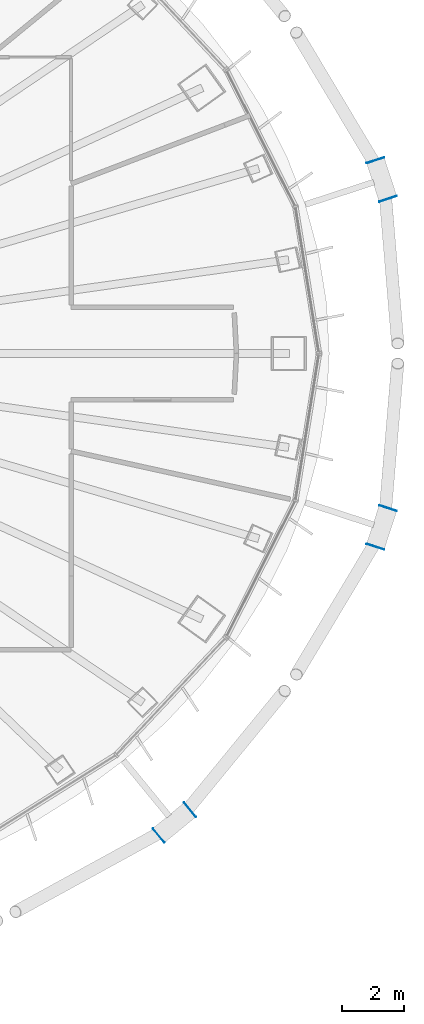
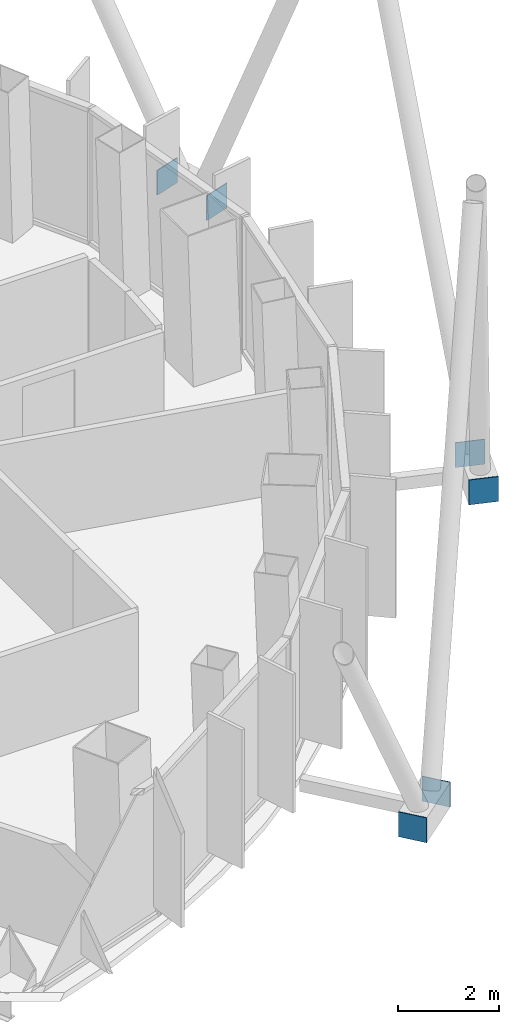
# One storey, part 13 of 18: 6 discrete accessories.
"""IFC4 building model written with IfcOpenShell, lengths in metres."""

from ifc_helpers import new_model, si_unit, direction, frame, origin, origin_2d, place, context, subcontext, project, spatial, rectangle, extrude, material, layer, layer_set, type_object, element, save


model = new_model("IFC4")

# Units and contexts
model_context = context("Model", 3, precision=1e-05, world=origin(), true_north=direction((0.0, 1.0)))
body_context = subcontext(model_context, "Body", "Model", "MODEL_VIEW")
ifc_project = project(units=[si_unit("LENGTHUNIT", "METRE"), si_unit("AREAUNIT", "SQUARE_METRE"), si_unit("VOLUMEUNIT", "CUBIC_METRE"), si_unit("PLANEANGLEUNIT", "RADIAN"), si_unit("MASSUNIT", "GRAM", prefix="KILO")], contexts=[model_context])

# Site, building, storey
site_placement = place(None, origin())
site = spatial("IfcSite", under=ifc_project, at=site_placement, CompositionType="ELEMENT")
building_placement = place(site_placement, origin())
building = spatial("IfcBuilding", under=site, at=building_placement, Name="Siaravel Broadcast Tower", CompositionType="ELEMENT")
storey_placement = place(building_placement, frame((0.0, 0.0, 201.5)))
storey = spatial("IfcBuildingStorey", under=building, at=storey_placement, Name="L49", CompositionType="ELEMENT", Elevation=201.5)

# Discrete accessories
ifc_material = material(Name="Steel S355", Category="steel")
ifc_layer = layer(ifc_material, 0.02001953125)
ifc_layer_set = layer_set([ifc_layer], Name="Steel S355")
discrete_accessory_type = type_object("IfcDiscreteAccessoryType", Name="Steel end plate 20 mm", PredefinedType="USERDEFINED", material=ifc_layer_set)
for number, where, z_axis, x_axis, name in (
    (1, (24.251708984375, 6.2578125, -0.5), (0.0, 0.0, 1.0), (-0.310910334, 0.950439248, 0.0), "End plate R20 station 03A"),
    (2, (24.66015625, 5.009521484375, -0.5), (0.0, 0.0, 1.0), (-0.310910334, 0.950439248, 0.0), "End plate R20 station 03B"),
    (3, (18.24951171875, -14.778076171875, -0.5), (0.0, 0.0, 1.0), (0.773604694, 0.633668508, 0.0), "End plate R20 station 63A"),
    (4, (17.2333984375, -15.610107421875, -0.5), (0.0, 0.0, 1.0), (0.773604694, 0.633668508, 0.0), "End plate R20 station 63B"),
    (5, (24.66015625, -5.009521484375, -0.5), (0.0, 0.0, 1.0), (0.310910334, 0.950439248, 0.0), "End plate R20 station 69A"),
    (6, (24.251708984375, -6.2578125, -0.5), (0.0, 0.0, 1.0), (0.310910334, 0.950439248, 0.0), "End plate R20 station 69B"),
):
    element("IfcDiscreteAccessory", number, at=place(storey_placement, frame(where, z_axis=z_axis, x_axis=x_axis)), inside=storey, type_object=discrete_accessory_type, Name=name, ObjectType="END PLATE", PredefinedType="USERDEFINED", context=body_context, shape_type="SweptSolid", body=[
        extrude(rectangle(XDim=0.02001953125, YDim=0.60009765625, at=origin_2d()), origin(), (0.0, 0.0, 1.0), 0.60009765625),
    ])

save(model, "model.ifc")
